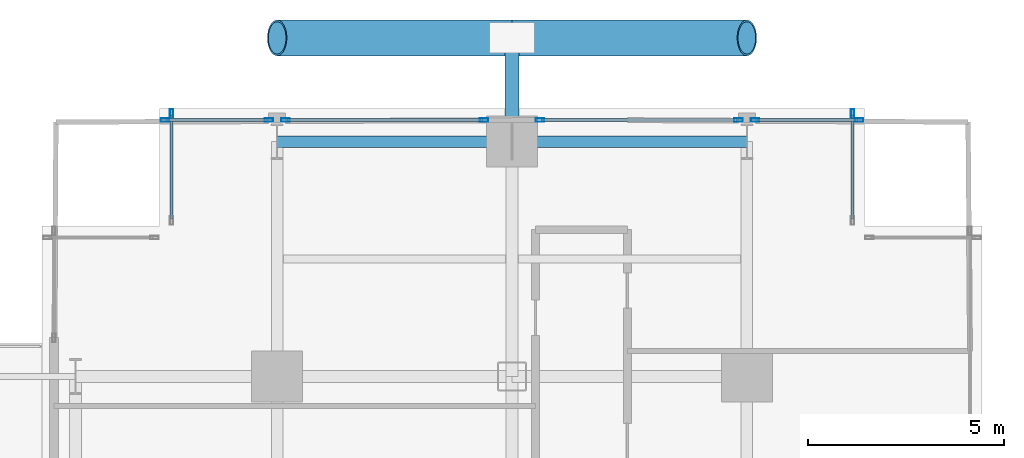
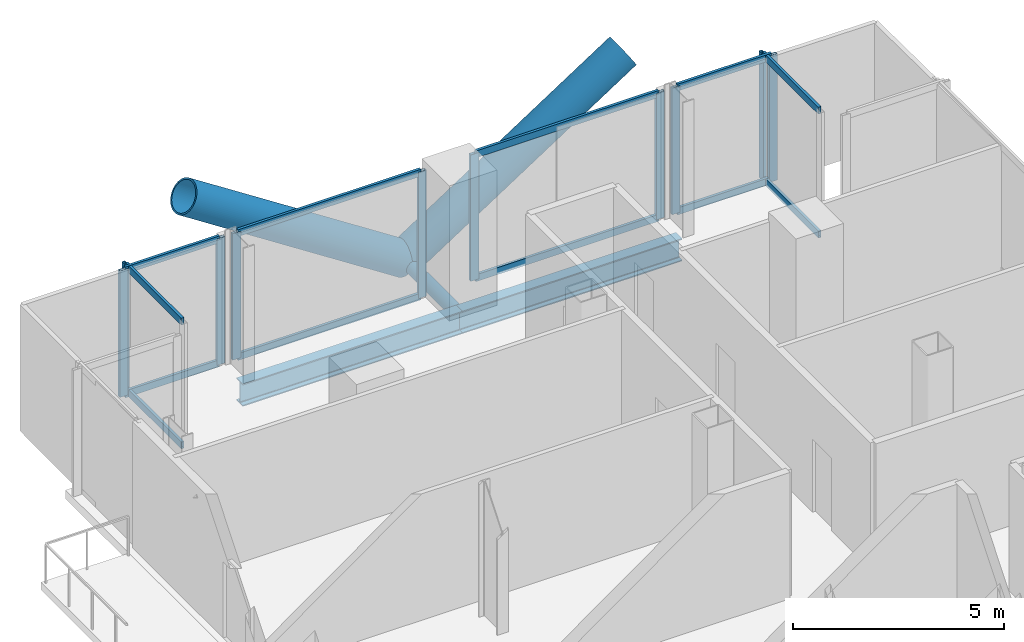
# One storey, part 16 of 27: 25 members, 2 beams, 6 elements without a shape of their own.
"""IFC4 building model written with IfcOpenShell, lengths in metres."""

from ifc_helpers import new_model, si_unit, direction, frame, origin, origin_2d, place, context, subcontext, project, spatial, hollow_rectangle, hollow_circle, i_section, extrude, material, layer, layer_set, material_profile, profile_set, type_object, element, aggregate, save


model = new_model("IFC4")

# Units and contexts
model_context = context("Model", 3, precision=1e-05, world=origin(), true_north=direction((0.0, 1.0)))
body_context = subcontext(model_context, "Body", "Model", "MODEL_VIEW")
ifc_project = project(units=[si_unit("LENGTHUNIT", "METRE"), si_unit("AREAUNIT", "SQUARE_METRE"), si_unit("VOLUMEUNIT", "CUBIC_METRE"), si_unit("PLANEANGLEUNIT", "RADIAN"), si_unit("MASSUNIT", "GRAM", prefix="KILO"), si_unit("THERMODYNAMICTEMPERATUREUNIT", "KELVIN"), si_unit("POWERUNIT", "WATT")], contexts=[model_context])

# Site, building, storey
site_placement = place(None, origin())
site = spatial("IfcSite", under=ifc_project, at=site_placement, CompositionType="ELEMENT")
building_placement = place(site_placement, origin())
building = spatial("IfcBuilding", under=site, at=building_placement, Name="Svarakhadi Broadcast Tower", CompositionType="ELEMENT")
storey_placement = place(building_placement, frame((0.0, 0.0, 44.10009765625)))
storey = spatial("IfcBuildingStorey", under=building, at=storey_placement, Name="L09", CompositionType="ELEMENT", Elevation=44.10009765625)

# Curtain wall, member
ifc_material_1 = material(Name="Anodised Bronze Aluminium AA 6063-T6", Category="aluminium")
ifc_layer = layer(ifc_material_1, 0.219970703125)
ifc_layer_set = layer_set([ifc_layer], Name="Anodised Bronze Aluminium AA 6063-T6")
curtain_wall_type = type_object("IfcCurtainWallType", Name="CW_Sys_02", PredefinedType="NOTDEFINED", material=ifc_layer_set)
curtain_wall_1_placement = place(storey_placement, origin())
curtain_wall_1 = element("IfcCurtainWall", 1, at=curtain_wall_1_placement, inside=storey, type_object=curtain_wall_type, Name="L09 Unitised Facade Curtain Wall 05", PredefinedType="NOTDEFINED")
ifc_material_profile_1 = material_profile(ifc_material_1, hollow_rectangle(XDim=0.0849609375, YDim=0.219970703125, WallThickness=0.006103515625, at=origin_2d()), Name="ALU MULLION 220x85x6")
ifc_profile_set_1 = profile_set([ifc_material_profile_1], Name="Anodised Bronze Aluminium AA 6063-T6")
member_type_1 = type_object("IfcMemberType", Name="CW_Sys_02_Mul", PredefinedType="MULLION", material=ifc_profile_set_1)
member_1_placement = place(storey_placement, frame((3.300048828125, 47.867431640625, 0.0), z_axis=(0.0, 0.0, 1.0), x_axis=(-1.0, 0.0, 0.0)))
member_1 = element("IfcMember", 2, at=member_1_placement, type_object=member_type_1, Name="CW-02 mullion 2", PredefinedType="MULLION", context=body_context, shape_type="SweptSolid", body=[
    extrude(hollow_rectangle(XDim=0.0849609375, YDim=0.219970703125, WallThickness=0.006103515625, at=origin_2d()), origin(), (0.0, 0.0, 1.0), 3.64990234375),
])

# Curtain wall, members
curtain_wall_2_placement = place(storey_placement, origin())
curtain_wall_2 = element("IfcCurtainWall", 3, at=curtain_wall_2_placement, inside=storey, type_object=curtain_wall_type, Name="L09 Unitised Facade Curtain Wall 06 Bay 1", PredefinedType="NOTDEFINED")
member_2_placement = place(storey_placement, frame((3.132568359375, 47.699951171875, 0.0), z_axis=(0.0, 0.0, 1.0), x_axis=(0.0, 1.0, 0.0)))
member_2 = element("IfcMember", 4, at=member_2_placement, type_object=member_type_1, Name="CW-02 mullion 1", PredefinedType="MULLION", context=body_context, shape_type="SweptSolid", body=[
    extrude(hollow_rectangle(XDim=0.0849609375, YDim=0.219970703125, WallThickness=0.006103515625, at=origin_2d()), origin(), (0.0, 0.0, 1.0), 3.64990234375),
])
member_3_placement = place(storey_placement, frame((5.78759765625, 47.699951171875, 0.0), z_axis=(0.0, 0.0, 1.0), x_axis=(0.0, 1.0, 0.0)))
member_3 = element("IfcMember", 5, at=member_3_placement, type_object=member_type_1, Name="CW-02 mullion 2", PredefinedType="MULLION", context=body_context, shape_type="SweptSolid", body=[
    extrude(hollow_rectangle(XDim=0.0849609375, YDim=0.219970703125, WallThickness=0.006103515625, at=origin_2d()), origin(), (0.0, 0.0, 1.0), 3.64990234375),
])

curtain_wall_3_placement = place(storey_placement, origin())
curtain_wall_3 = element("IfcCurtainWall", 6, at=curtain_wall_3_placement, inside=storey, type_object=curtain_wall_type, Name="L09 Unitised Facade Curtain Wall 06 Bay 2", PredefinedType="NOTDEFINED")
member_4_placement = place(storey_placement, frame((6.21240234375, 47.699951171875, 0.0), z_axis=(0.0, 0.0, 1.0), x_axis=(0.0, 1.0, 0.0)))
member_4 = element("IfcMember", 7, at=member_4_placement, type_object=member_type_1, Name="CW-02 mullion 1", PredefinedType="MULLION", context=body_context, shape_type="SweptSolid", body=[
    extrude(hollow_rectangle(XDim=0.0849609375, YDim=0.219970703125, WallThickness=0.006103515625, at=origin_2d()), origin(), (0.0, 0.0, 1.0), 3.64990234375),
])
member_5_placement = place(storey_placement, frame((11.28759765625, 47.699951171875, 0.0), z_axis=(0.0, 0.0, 1.0), x_axis=(0.0, 1.0, 0.0)))
member_5 = element("IfcMember", 8, at=member_5_placement, type_object=member_type_1, Name="CW-02 mullion 2", PredefinedType="MULLION", context=body_context, shape_type="SweptSolid", body=[
    extrude(hollow_rectangle(XDim=0.0849609375, YDim=0.219970703125, WallThickness=0.006103515625, at=origin_2d()), origin(), (0.0, 0.0, 1.0), 3.64990234375),
])

curtain_wall_4_placement = place(storey_placement, origin())
curtain_wall_4 = element("IfcCurtainWall", 9, at=curtain_wall_4_placement, inside=storey, type_object=curtain_wall_type, Name="L09 Unitised Facade Curtain Wall 06 Bay 3", PredefinedType="NOTDEFINED")
member_6_placement = place(storey_placement, frame((12.71240234375, 47.699951171875, 0.0), z_axis=(0.0, 0.0, 1.0), x_axis=(0.0, 1.0, 0.0)))
member_6 = element("IfcMember", 10, at=member_6_placement, type_object=member_type_1, Name="CW-02 mullion 1", PredefinedType="MULLION", context=body_context, shape_type="SweptSolid", body=[
    extrude(hollow_rectangle(XDim=0.0849609375, YDim=0.219970703125, WallThickness=0.006103515625, at=origin_2d()), origin(), (0.0, 0.0, 1.0), 3.64990234375),
])
member_7_placement = place(storey_placement, frame((17.78759765625, 47.699951171875, 0.0), z_axis=(0.0, 0.0, 1.0), x_axis=(0.0, 1.0, 0.0)))
member_7 = element("IfcMember", 11, at=member_7_placement, type_object=member_type_1, Name="CW-02 mullion 2", PredefinedType="MULLION", context=body_context, shape_type="SweptSolid", body=[
    extrude(hollow_rectangle(XDim=0.0849609375, YDim=0.219970703125, WallThickness=0.006103515625, at=origin_2d()), origin(), (0.0, 0.0, 1.0), 3.64990234375),
])

curtain_wall_5_placement = place(storey_placement, origin())
curtain_wall_5 = element("IfcCurtainWall", 12, at=curtain_wall_5_placement, inside=storey, type_object=curtain_wall_type, Name="L09 Unitised Facade Curtain Wall 06 Bay 4", PredefinedType="NOTDEFINED")
member_8_placement = place(storey_placement, frame((18.21240234375, 47.699951171875, 0.0), z_axis=(0.0, 0.0, 1.0), x_axis=(0.0, 1.0, 0.0)))
member_8 = element("IfcMember", 13, at=member_8_placement, type_object=member_type_1, Name="CW-02 mullion 1", PredefinedType="MULLION", context=body_context, shape_type="SweptSolid", body=[
    extrude(hollow_rectangle(XDim=0.0849609375, YDim=0.219970703125, WallThickness=0.006103515625, at=origin_2d()), origin(), (0.0, 0.0, 1.0), 3.64990234375),
])
member_9_placement = place(storey_placement, frame((20.867431640625, 47.699951171875, 0.0), z_axis=(0.0, 0.0, 1.0), x_axis=(0.0, 1.0, 0.0)))
member_9 = element("IfcMember", 14, at=member_9_placement, type_object=member_type_1, Name="CW-02 mullion 2", PredefinedType="MULLION", context=body_context, shape_type="SweptSolid", body=[
    extrude(hollow_rectangle(XDim=0.0849609375, YDim=0.219970703125, WallThickness=0.006103515625, at=origin_2d()), origin(), (0.0, 0.0, 1.0), 3.64990234375),
])

# Curtain wall, member
curtain_wall_6_placement = place(storey_placement, origin())
curtain_wall_6 = element("IfcCurtainWall", 15, at=curtain_wall_6_placement, inside=storey, type_object=curtain_wall_type, Name="L09 Unitised Facade Curtain Wall 07", PredefinedType="NOTDEFINED")
member_10_placement = place(storey_placement, frame((20.699951171875, 47.867431640625, 0.0), z_axis=(0.0, 0.0, 1.0), x_axis=(1.0, 0.0, 0.0)))
member_10 = element("IfcMember", 16, at=member_10_placement, type_object=member_type_1, Name="CW-02 mullion 1", PredefinedType="MULLION", context=body_context, shape_type="SweptSolid", body=[
    extrude(hollow_rectangle(XDim=0.0849609375, YDim=0.219970703125, WallThickness=0.006103515625, at=origin_2d()), origin(), (0.0, 0.0, 1.0), 3.64990234375),
])

# Member
ifc_material_profile_2 = material_profile(ifc_material_1, hollow_rectangle(XDim=0.074951171875, YDim=0.199951171875, WallThickness=0.0048828125, at=origin_2d()), Name="ALU TRANSOM 200x75x5")
ifc_profile_set_2 = profile_set([ifc_material_profile_2], Name="Anodised Bronze Aluminium AA 6063-T6")
member_type_2 = type_object("IfcMemberType", Name="CW_Sys_02_Trn", PredefinedType="USERDEFINED", material=ifc_profile_set_2)
member_11_placement = place(storey_placement, frame((3.300048828125, 45.175048828125, 0.037353515625), z_axis=(0.0, 1.0, 0.0), x_axis=(-1.0, 0.0, 0.0)))
member_11 = element("IfcMember", 17, at=member_11_placement, type_object=member_type_2, Name="CW-02 transom 1.1", ObjectType="TRANSOM", PredefinedType="USERDEFINED", context=body_context, shape_type="SweptSolid", body=[
    extrude(hollow_rectangle(XDim=0.074951171875, YDim=0.199951171875, WallThickness=0.0048828125, at=origin_2d()), origin(), (0.0, 0.0, 1.0), 2.64990234375),
])

member_12_placement = place(storey_placement, frame((3.300048828125, 45.175048828125, 3.6123046875), z_axis=(0.0, 1.0, 0.0), x_axis=(-1.0, 0.0, 0.0)))
member_12 = element("IfcMember", 18, at=member_12_placement, type_object=member_type_2, Name="CW-02 transom 1.2", ObjectType="TRANSOM", PredefinedType="USERDEFINED", context=body_context, shape_type="SweptSolid", body=[
    extrude(hollow_rectangle(XDim=0.074951171875, YDim=0.199951171875, WallThickness=0.0048828125, at=origin_2d()), origin(), (0.0, 0.0, 1.0), 2.64990234375),
])

aggregate(curtain_wall_1, [member_1, member_11, member_12])

member_13_placement = place(storey_placement, frame((3.175048828125, 47.699951171875, 0.037353515625), z_axis=(1.0, 0.0, 0.0), x_axis=(0.0, 1.0, 0.0)))
member_13 = element("IfcMember", 19, at=member_13_placement, type_object=member_type_2, Name="CW-02 transom 1.1", ObjectType="TRANSOM", PredefinedType="USERDEFINED", context=body_context, shape_type="SweptSolid", body=[
    extrude(hollow_rectangle(XDim=0.074951171875, YDim=0.199951171875, WallThickness=0.0048828125, at=origin_2d()), origin(), (0.0, 0.0, 1.0), 2.570068359375),
])

member_14_placement = place(storey_placement, frame((3.175048828125, 47.699951171875, 3.6123046875), z_axis=(1.0, 0.0, 0.0), x_axis=(0.0, 1.0, 0.0)))
member_14 = element("IfcMember", 20, at=member_14_placement, type_object=member_type_2, Name="CW-02 transom 1.2", ObjectType="TRANSOM", PredefinedType="USERDEFINED", context=body_context, shape_type="SweptSolid", body=[
    extrude(hollow_rectangle(XDim=0.074951171875, YDim=0.199951171875, WallThickness=0.0048828125, at=origin_2d()), origin(), (0.0, 0.0, 1.0), 2.570068359375),
])

aggregate(curtain_wall_2, [member_2, member_3, member_13, member_14])

member_15_placement = place(storey_placement, frame((6.2548828125, 47.699951171875, 0.037353515625), z_axis=(1.0, 0.0, 0.0), x_axis=(0.0, 1.0, 0.0)))
member_15 = element("IfcMember", 21, at=member_15_placement, type_object=member_type_2, Name="CW-02 transom 1.1", ObjectType="TRANSOM", PredefinedType="USERDEFINED", context=body_context, shape_type="SweptSolid", body=[
    extrude(hollow_rectangle(XDim=0.074951171875, YDim=0.199951171875, WallThickness=0.0048828125, at=origin_2d()), origin(), (0.0, 0.0, 1.0), 4.990234375),
])

member_16_placement = place(storey_placement, frame((6.2548828125, 47.699951171875, 3.6123046875), z_axis=(1.0, 0.0, 0.0), x_axis=(0.0, 1.0, 0.0)))
member_16 = element("IfcMember", 22, at=member_16_placement, type_object=member_type_2, Name="CW-02 transom 1.2", ObjectType="TRANSOM", PredefinedType="USERDEFINED", context=body_context, shape_type="SweptSolid", body=[
    extrude(hollow_rectangle(XDim=0.074951171875, YDim=0.199951171875, WallThickness=0.0048828125, at=origin_2d()), origin(), (0.0, 0.0, 1.0), 4.990234375),
])

aggregate(curtain_wall_3, [member_4, member_5, member_15, member_16])

member_17_placement = place(storey_placement, frame((12.7548828125, 47.699951171875, 0.037353515625), z_axis=(1.0, 0.0, 0.0), x_axis=(0.0, 1.0, 0.0)))
member_17 = element("IfcMember", 23, at=member_17_placement, type_object=member_type_2, Name="CW-02 transom 1.1", ObjectType="TRANSOM", PredefinedType="USERDEFINED", context=body_context, shape_type="SweptSolid", body=[
    extrude(hollow_rectangle(XDim=0.074951171875, YDim=0.199951171875, WallThickness=0.0048828125, at=origin_2d()), origin(), (0.0, 0.0, 1.0), 4.990234375),
])

member_18_placement = place(storey_placement, frame((12.7548828125, 47.699951171875, 3.6123046875), z_axis=(1.0, 0.0, 0.0), x_axis=(0.0, 1.0, 0.0)))
member_18 = element("IfcMember", 24, at=member_18_placement, type_object=member_type_2, Name="CW-02 transom 1.2", ObjectType="TRANSOM", PredefinedType="USERDEFINED", context=body_context, shape_type="SweptSolid", body=[
    extrude(hollow_rectangle(XDim=0.074951171875, YDim=0.199951171875, WallThickness=0.0048828125, at=origin_2d()), origin(), (0.0, 0.0, 1.0), 4.990234375),
])

aggregate(curtain_wall_4, [member_6, member_7, member_17, member_18])

member_19_placement = place(storey_placement, frame((18.2548828125, 47.699951171875, 0.037353515625), z_axis=(1.0, 0.0, 0.0), x_axis=(0.0, 1.0, 0.0)))
member_19 = element("IfcMember", 25, at=member_19_placement, type_object=member_type_2, Name="CW-02 transom 1.1", ObjectType="TRANSOM", PredefinedType="USERDEFINED", context=body_context, shape_type="SweptSolid", body=[
    extrude(hollow_rectangle(XDim=0.074951171875, YDim=0.199951171875, WallThickness=0.0048828125, at=origin_2d()), origin(), (0.0, 0.0, 1.0), 2.570068359375),
])

member_20_placement = place(storey_placement, frame((18.2548828125, 47.699951171875, 3.6123046875), z_axis=(1.0, 0.0, 0.0), x_axis=(0.0, 1.0, 0.0)))
member_20 = element("IfcMember", 26, at=member_20_placement, type_object=member_type_2, Name="CW-02 transom 1.2", ObjectType="TRANSOM", PredefinedType="USERDEFINED", context=body_context, shape_type="SweptSolid", body=[
    extrude(hollow_rectangle(XDim=0.074951171875, YDim=0.199951171875, WallThickness=0.0048828125, at=origin_2d()), origin(), (0.0, 0.0, 1.0), 2.570068359375),
])

aggregate(curtain_wall_5, [member_8, member_9, member_19, member_20])

member_21_placement = place(storey_placement, frame((20.699951171875, 47.824951171875, 0.037353515625), z_axis=(0.0, -1.0, 0.0), x_axis=(1.0, 0.0, 0.0)))
member_21 = element("IfcMember", 27, at=member_21_placement, type_object=member_type_2, Name="CW-02 transom 1.1", ObjectType="TRANSOM", PredefinedType="USERDEFINED", context=body_context, shape_type="SweptSolid", body=[
    extrude(hollow_rectangle(XDim=0.074951171875, YDim=0.199951171875, WallThickness=0.0048828125, at=origin_2d()), origin(), (0.0, 0.0, 1.0), 2.64990234375),
])

member_22_placement = place(storey_placement, frame((20.699951171875, 47.824951171875, 3.6123046875), z_axis=(0.0, -1.0, 0.0), x_axis=(1.0, 0.0, 0.0)))
member_22 = element("IfcMember", 28, at=member_22_placement, type_object=member_type_2, Name="CW-02 transom 1.2", ObjectType="TRANSOM", PredefinedType="USERDEFINED", context=body_context, shape_type="SweptSolid", body=[
    extrude(hollow_rectangle(XDim=0.074951171875, YDim=0.199951171875, WallThickness=0.0048828125, at=origin_2d()), origin(), (0.0, 0.0, 1.0), 2.64990234375),
])

aggregate(curtain_wall_6, [member_10, member_21, member_22])

# Members
ifc_material_2 = material(Name="Steel S460ML (IS 2062 E450BR)", Category="steel")
ifc_material_profile_3 = material_profile(ifc_material_2, hollow_circle(Radius=0.45703125, WallThickness=0.044921875, at=origin_2d()), Name="CHS 914x45")
ifc_profile_set_3 = profile_set([ifc_material_profile_3], Name="Steel S460ML (IS 2062 E450BR)")
member_type_3 = type_object("IfcMemberType", Name="Exo_Brace_CHS914", PredefinedType="BRACE", material=ifc_profile_set_3)
for number, where, z_axis, x_axis, name in (
    (29, (12.0, 49.800048828125, -0.427978515625), (-0.838434262763, 0.0, 0.545002740383), (0.0, -1.0, 0.0), "L09 Exposed Bronze Exoskeleton Diagonal N12"),
    (30, (12.0, 49.800048828125, -0.427978515625), (0.838434262763, 0.0, 0.545002740383), (0.0, 1.0, 0.0), "L09 Exposed Bronze Exoskeleton Diagonal N13"),
):
    element("IfcMember", number, at=place(storey_placement, frame(where, z_axis=z_axis, x_axis=x_axis)), inside=storey, type_object=member_type_3, Name=name, PredefinedType="BRACE", context=body_context, shape_type="SweptSolid", body=[
        extrude(hollow_circle(Radius=0.45703125, WallThickness=0.044921875, at=origin_2d()), origin(), (0.0, 0.0, 1.0), 7.15625),
    ])
ifc_material_profile_4 = material_profile(ifc_material_2, hollow_circle(Radius=0.177734375, WallThickness=0.02001953125, at=origin_2d()), Name="CHS 355.6x20")
ifc_profile_set_4 = profile_set([ifc_material_profile_4], Name="Steel S460ML (IS 2062 E450BR)")
member_type_4 = type_object("IfcMemberType", Name="Exo_Radial_Strut_Z1", PredefinedType="STRUT", material=ifc_profile_set_4)
member_23_placement = place(storey_placement, frame((12.0, 49.800048828125, -0.427978515625), z_axis=(0.0, -1.0, 0.0), x_axis=(1.0, 0.0, 0.0)))
element("IfcMember", 31, at=member_23_placement, inside=storey, type_object=member_type_4, Name="L09 Exoskeleton Radial Tie Strut N07", PredefinedType="STRUT", context=body_context, shape_type="SweptSolid", body=[
    extrude(hollow_circle(Radius=0.177734375, WallThickness=0.02001953125, at=origin_2d()), origin(), (0.0, 0.0, 1.0), 2.650146484375),
])

# Beams
ifc_material_3 = material(Name="Steel S355J2 (IS 2062 E350C)", Category="steel")
ifc_material_profile_5 = material_profile(ifc_material_3, i_section(OverallWidth=0.300048828125, OverallDepth=0.64990234375, WebThickness=0.01611328125, FlangeThickness=0.031005859375, FilletRadius=0.027099609375, at=origin_2d()), Name="WPB 650x300x225")
ifc_profile_set_5 = profile_set([ifc_material_profile_5], Name="Steel S355J2 (IS 2062 E350C)")
beam_type = type_object("IfcBeamType", Name="Girder_WPB650", PredefinedType="USERDEFINED", material=ifc_profile_set_5)
for number, where, z_axis, x_axis, name in (
    (32, (6.0, 47.14990234375, -0.5751953125), (1.0, 0.0, 0.0), (0.0, 1.0, 0.0), "L09 Primary E-W Girder G043"),
    (33, (12.0, 47.14990234375, -0.5751953125), (1.0, 0.0, 0.0), (0.0, 1.0, 0.0), "L09 Primary E-W Girder G044"),
):
    element("IfcBeam", number, at=place(storey_placement, frame(where, z_axis=z_axis, x_axis=x_axis)), inside=storey, type_object=beam_type, Name=name, ObjectType="GIRDER", PredefinedType="USERDEFINED", context=body_context, shape_type="SweptSolid", body=[
        extrude(i_section(OverallWidth=0.300048828125, OverallDepth=0.64990234375, WebThickness=0.01611328125, FlangeThickness=0.031005859375, FilletRadius=0.027099609375, at=origin_2d()), origin(), (0.0, 0.0, 1.0), 6.0),
    ])

save(model, "model.ifc")
